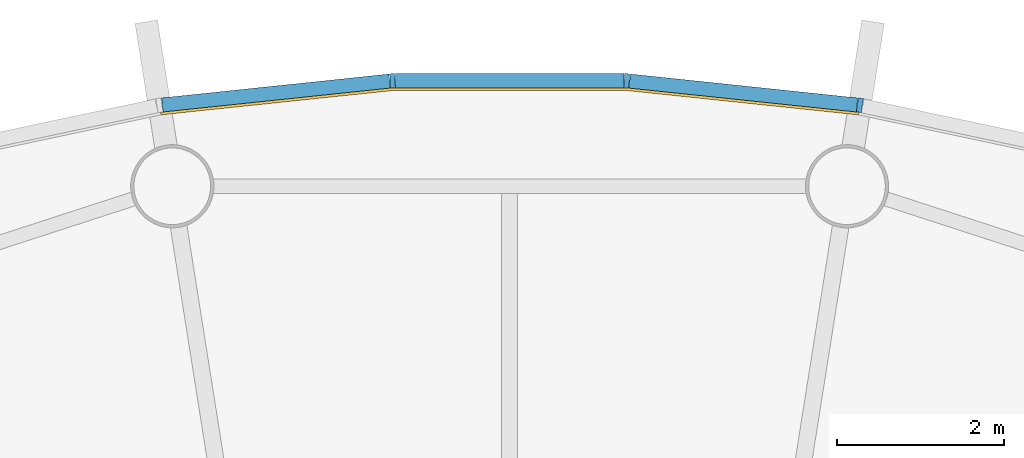
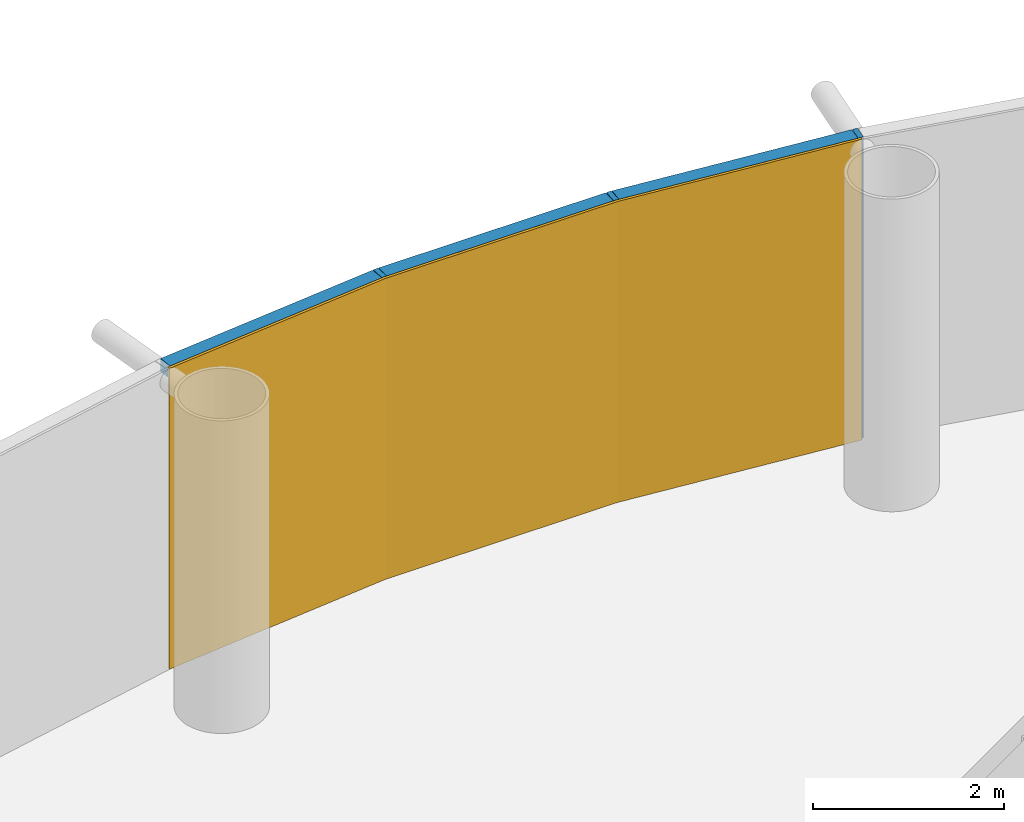
# One storey, part 11 of 13: 6 members, 1 curtain wall.
"""IFC4 building model written with IfcOpenShell, lengths in metres."""

from ifc_helpers import new_model, si_unit, direction, frame, origin, origin_2d, place, context, subcontext, project, spatial, polyline, rectangle, outline, extrude, material, layer, layer_set, material_profile, profile_set, type_object, element, aggregate, save


model = new_model("IFC4")

# Units and contexts
model_context = context("Model", 3, precision=1e-05, world=origin(), true_north=direction((0.0, 1.0)))
body_context = subcontext(model_context, "Body", "Model", "MODEL_VIEW")
ifc_project = project(units=[si_unit("LENGTHUNIT", "METRE"), si_unit("AREAUNIT", "SQUARE_METRE"), si_unit("VOLUMEUNIT", "CUBIC_METRE"), si_unit("PLANEANGLEUNIT", "RADIAN"), si_unit("MASSUNIT", "GRAM", prefix="KILO")], contexts=[model_context])

# Member
ifc_material_1 = material(Name="Anodised aluminium", Category="aluminium")
ifc_material_profile_1 = material_profile(ifc_material_1, rectangle(XDim=0.06005859375, YDim=0.169921875, at=origin_2d()), Name="Mullion 60 x 170 mm anodised aluminium")
ifc_profile_set_1 = profile_set([ifc_material_profile_1], Name="Anodised aluminium")
member_type_1 = type_object("IfcMemberType", Name="Mullion 60 x 170 mm anodised aluminium", PredefinedType="MULLION", material=ifc_profile_set_1)
site_placement = place(None, origin())
building_placement = place(site_placement, origin())
storey_placement = place(building_placement, frame((0.0, 0.0, 258.0)))
member_1_placement = place(storey_placement, frame((94.205810546875, 106.553955078125, 0.0), z_axis=(0.0, 0.0, 1.0), x_axis=(-0.987688340595, 0.15643446504, 0.0)))
member_1 = element("IfcMember", 1, at=member_1_placement, type_object=member_type_1, Name="MULLION L59-12", PredefinedType="MULLION", context=body_context, shape_type="SweptSolid", body=[
    extrude(rectangle(XDim=0.06005859375, YDim=0.169921875, at=origin_2d()), origin(), (0.0, 0.0, 1.0), 3.85009765625),
])

member_2_placement = place(storey_placement, frame((91.406982421875, 106.84814453125, 0.0), z_axis=(0.0, 0.0, 1.0), x_axis=(-0.998629534755, 0.052335956243, 0.0)))
member_2 = element("IfcMember", 2, at=member_2_placement, type_object=member_type_1, Name="MULLION L59-13", PredefinedType="MULLION", context=body_context, shape_type="SweptSolid", body=[
    extrude(rectangle(XDim=0.06005859375, YDim=0.169921875, at=origin_2d()), origin(), (0.0, 0.0, 1.0), 3.85009765625),
])

member_3_placement = place(storey_placement, frame((88.593017578125, 106.84814453125, 0.0), z_axis=(0.0, 0.0, 1.0), x_axis=(-0.998629534755, -0.052335956243, 0.0)))
member_3 = element("IfcMember", 3, at=member_3_placement, type_object=member_type_1, Name="MULLION L59-14", PredefinedType="MULLION", context=body_context, shape_type="SweptSolid", body=[
    extrude(rectangle(XDim=0.06005859375, YDim=0.169921875, at=origin_2d()), origin(), (0.0, 0.0, 1.0), 3.85009765625),
])

ifc_material_2 = material(Name="Anodised aluminium", Category="aluminium")
ifc_material_profile_2 = material_profile(ifc_material_2, rectangle(XDim=0.169921875, YDim=0.1650390625, at=origin_2d()), Name="Transom 165 x 170 mm anodised aluminium")
ifc_profile_set_2 = profile_set([ifc_material_profile_2], Name="Anodised aluminium")
member_type_2 = type_object("IfcMemberType", Name="Transom 165 x 170 mm anodised aluminium", PredefinedType="USERDEFINED", material=ifc_profile_set_2)
member_4_placement = place(storey_placement, frame((94.17138671875, 106.5576171875, 3.767578125), z_axis=(-0.994515195344, 0.104592190102, 0.0), x_axis=(-0.104592190102, -0.994515195344, 0.0)))
member_4 = element("IfcMember", 4, at=member_4_placement, type_object=member_type_2, Name="TRANSOM L59-12", ObjectType="TRANSOM", PredefinedType="USERDEFINED", context=body_context, shape_type="SweptSolid", body=[
    extrude(rectangle(XDim=0.169921875, YDim=0.1650390625, at=origin_2d()), origin(), (0.0, 0.0, 1.0), 2.7451171875),
])

member_5_placement = place(storey_placement, frame((91.37255859375, 106.848388671875, 3.767578125), z_axis=(-1.0, 0.0, 0.0), x_axis=(0.0, -1.0, 0.0)))
member_5 = element("IfcMember", 5, at=member_5_placement, type_object=member_type_2, Name="TRANSOM L59-13", ObjectType="TRANSOM", PredefinedType="USERDEFINED", context=body_context, shape_type="SweptSolid", body=[
    extrude(rectangle(XDim=0.169921875, YDim=0.1650390625, at=origin_2d()), origin(), (0.0, 0.0, 1.0), 2.7451171875),
])

member_6_placement = place(storey_placement, frame((88.55859375, 106.8447265625, 3.767578125), z_axis=(-0.994515195344, -0.104592190102, 0.0), x_axis=(0.104592190102, -0.994515195344, 0.0)))
member_6 = element("IfcMember", 6, at=member_6_placement, type_object=member_type_2, Name="TRANSOM L59-14", ObjectType="TRANSOM", PredefinedType="USERDEFINED", context=body_context, shape_type="SweptSolid", body=[
    extrude(rectangle(XDim=0.169921875, YDim=0.1650390625, at=origin_2d()), origin(), (0.0, 0.0, 1.0), 2.7451171875),
])

# Site, building, storey
site = spatial("IfcSite", under=ifc_project, at=site_placement, CompositionType="ELEMENT")
building = spatial("IfcBuilding", under=site, at=building_placement, Name="Entoto Ring Tower", CompositionType="ELEMENT")
storey = spatial("IfcBuildingStorey", under=building, at=storey_placement, Name="L59", CompositionType="ELEMENT", Elevation=258.0)

# Curtain wall
ifc_material_3 = material(Name="Clear low-iron glass", Category="glass")
ifc_layer = layer(ifc_material_3, 0.031982421875)
ifc_layer_set = layer_set([ifc_layer], Name="Clear low-iron glass")
curtain_wall_type = type_object("IfcCurtainWallType", Name="Curtain wall system CW4 glazing 32 mm", PredefinedType="NOTDEFINED", material=ifc_layer_set)
curtain_wall_placement = place(storey_placement, origin())
curtain_wall = element("IfcCurtainWall", 7, at=curtain_wall_placement, inside=storey, type_object=curtain_wall_type, Name="CW4 L59-05", PredefinedType="NOTDEFINED", context=body_context, shape_type="SweptSolid", body=[
    extrude(outline(polyline([(94.1923828125, 106.469970703125), (91.402587890625, 106.76318359375), (88.597412109375, 106.76318359375), (85.8076171875, 106.469970703125), (85.8125, 106.4384765625), (88.59912109375, 106.731201171875), (91.40087890625, 106.731201171875), (94.1875, 106.4384765625), (94.1923828125, 106.469970703125)])), origin(), (0.0, 0.0, 1.0), 3.85009765625),
])

aggregate(curtain_wall, [member_1, member_2, member_3, member_4, member_5, member_6])

save(model, "model.ifc")
